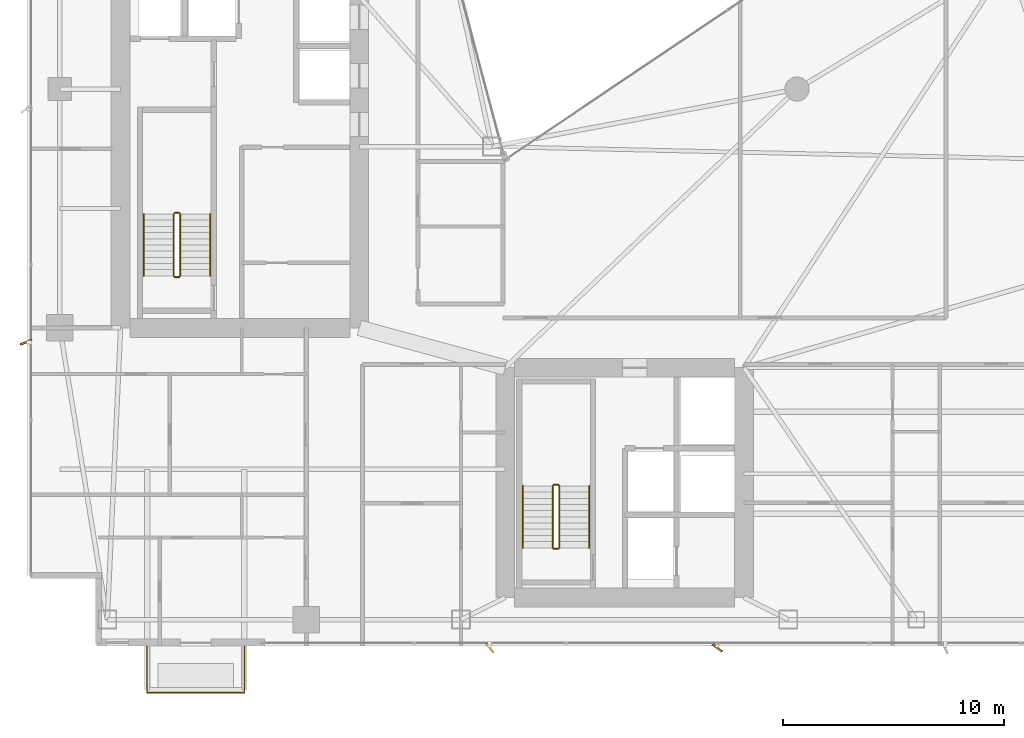
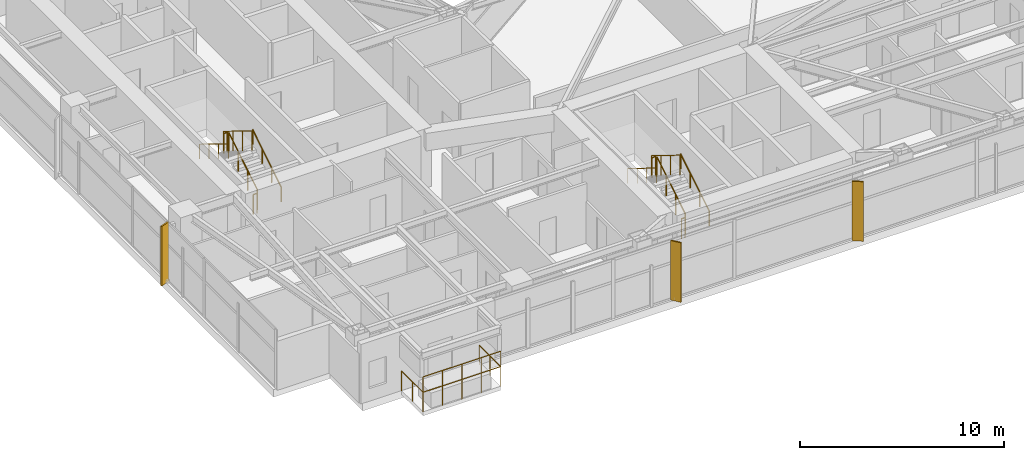
# One storey, part 29 of 30: 14 railings, 3 shading devices.
"""IFC4 building model written with IfcOpenShell, lengths in metres."""

from ifc_helpers import new_model, si_unit, direction, frame, origin, origin_2d, place, context, subcontext, project, spatial, rectangle, circle, extrude, material, type_object, element, save


model = new_model("IFC4")

# Units and contexts
model_context = context("Model", 3, precision=1e-05, world=origin(), true_north=direction((0.0, 1.0)))
body_context = subcontext(model_context, "Body", "Model", "MODEL_VIEW")
ifc_project = project(units=[si_unit("LENGTHUNIT", "METRE"), si_unit("AREAUNIT", "SQUARE_METRE"), si_unit("VOLUMEUNIT", "CUBIC_METRE"), si_unit("PLANEANGLEUNIT", "RADIAN"), si_unit("MASSUNIT", "GRAM", prefix="KILO")], contexts=[model_context])

# Site, building, storey
site_placement = place(None, origin())
site = spatial("IfcSite", under=ifc_project, at=site_placement, CompositionType="ELEMENT")
building_placement = place(site_placement, origin())
building = spatial("IfcBuilding", under=site, at=building_placement, Name="Calvorn Quay Hotel", CompositionType="ELEMENT")
storey_placement = place(building_placement, frame((0.0, 0.0, 191.300048828125)))
storey = spatial("IfcBuildingStorey", under=building, at=storey_placement, Name="L47", CompositionType="ELEMENT", Elevation=191.300048828125)

# Railings
ifc_material_1 = material(Name="Pale Anodised Aluminium and Laminated Glass", Category="aluminium")
railing_type_1 = type_object("IfcRailingType", Name="RLG-BALUSTRADE-1200", PredefinedType="BALUSTRADE", material=ifc_material_1)
railing_1_placement = place(storey_placement, frame((5.39990234375, 2.389892578125, 0.0)))
element("IfcRailing", 1, at=railing_1_placement, inside=storey, type_object=railing_type_1, Name="Tree Balcony Perimeter Balustrade L47-BALC-S", PredefinedType="BALUSTRADE", context=body_context, shape_type="SweptSolid", body=[
    extrude(circle(Radius=0.02392578125, at=origin_2d()), frame((0.0, 0.0, 1.17578125), z_axis=(0.0, -1.0, 0.0), x_axis=(1.0, 0.0, 0.0)), (0.0, 0.0, 1.0), 2.099853515625),
    extrude(circle(Radius=0.02392578125, at=origin_2d()), frame((0.0, -2.099853515625, 1.17578125), z_axis=(1.0, 0.0, 0.0), x_axis=(0.0, 1.0, 0.0)), (0.0, 0.0, 1.0), 4.400146484375),
    extrude(circle(Radius=0.02392578125, at=origin_2d()), frame((4.400146484375, -2.099853515625, 1.17578125), z_axis=(0.0, 1.0, 0.0), x_axis=(-1.0, 0.0, 0.0)), (0.0, 0.0, 1.0), 2.099853515625),
    extrude(circle(Radius=0.02099609375, at=origin_2d()), origin(), (0.0, 0.0, 1.0), 1.15185546875),
    extrude(circle(Radius=0.02099609375, at=origin_2d()), frame((0.0, -1.0498046875, 0.0)), (0.0, 0.0, 1.0), 1.15185546875),
    extrude(circle(Radius=0.02099609375, at=origin_2d()), frame((0.0, -2.099853515625, 0.0)), (0.0, 0.0, 1.0), 1.15185546875),
    extrude(circle(Radius=0.02099609375, at=origin_2d()), frame((1.10009765625, -2.099853515625, 0.0)), (0.0, 0.0, 1.0), 1.15185546875),
    extrude(circle(Radius=0.02099609375, at=origin_2d()), frame((2.2001953125, -2.099853515625, 0.0)), (0.0, 0.0, 1.0), 1.15185546875),
    extrude(circle(Radius=0.02099609375, at=origin_2d()), frame((3.300048828125, -2.099853515625, 0.0)), (0.0, 0.0, 1.0), 1.15185546875),
    extrude(circle(Radius=0.02099609375, at=origin_2d()), frame((4.400146484375, -2.099853515625, 0.0)), (0.0, 0.0, 1.0), 1.15185546875),
    extrude(circle(Radius=0.02099609375, at=origin_2d()), frame((4.400146484375, -1.0498046875, 0.0)), (0.0, 0.0, 1.0), 1.15185546875),
    extrude(circle(Radius=0.02099609375, at=origin_2d()), frame((4.400146484375, 0.0, 0.0)), (0.0, 0.0, 1.0), 1.15185546875),
])
railing_2_placement = place(storey_placement, frame((5.39990234375, 0.2900390625, 0.89990234375)))
element("IfcRailing", 2, at=railing_2_placement, inside=storey, type_object=railing_type_1, Name="Planter Kerb High Safety Screen L47-BALC-S", PredefinedType="BALUSTRADE", context=body_context, shape_type="SweptSolid", body=[
    extrude(circle(Radius=0.02392578125, at=origin_2d()), frame((0.0, 0.0, 1.19580078125), z_axis=(1.0, 0.0, 0.0), x_axis=(0.0, 1.0, 0.0)), (0.0, 0.0, 1.0), 4.400146484375),
    extrude(circle(Radius=0.02099609375, at=origin_2d()), origin(), (0.0, 0.0, 1.0), 1.171875),
    extrude(circle(Radius=0.02099609375, at=origin_2d()), frame((1.10009765625, 0.0, 0.0)), (0.0, 0.0, 1.0), 1.171875),
    extrude(circle(Radius=0.02099609375, at=origin_2d()), frame((2.2001953125, 0.0, 0.0)), (0.0, 0.0, 1.0), 1.171875),
    extrude(circle(Radius=0.02099609375, at=origin_2d()), frame((3.300048828125, 0.0, 0.0)), (0.0, 0.0, 1.0), 1.171875),
    extrude(circle(Radius=0.02099609375, at=origin_2d()), frame((4.400146484375, 0.0, 0.0)), (0.0, 0.0, 1.0), 1.171875),
])
ifc_material_2 = material(Name="Brushed Stainless Steel Handrail", Category="steel")
railing_type_2 = type_object("IfcRailingType", Name="RLG-HANDRAIL-900", PredefinedType="HANDRAIL", material=ifc_material_2)
railing_3_placement = place(storey_placement, frame((8.25, 19.14990234375, 0.172607421875)))
element("IfcRailing", 3, at=railing_3_placement, inside=storey, type_object=railing_type_2, Name="L47 ST-W stair handrail 1", PredefinedType="HANDRAIL", context=body_context, shape_type="SweptSolid", body=[
    extrude(circle(Radius=0.02392578125, at=origin_2d()), frame((0.0, 0.0, 0.8759765625), z_axis=(0.0, 0.851089632645, 0.525020415988), x_axis=(-1.0, 0.0, 0.0)), (0.0, 0.0, 1.0), 3.2900390625),
    extrude(circle(Radius=0.02099609375, at=origin_2d()), origin(), (0.0, 0.0, 1.0), 0.851806640625),
    extrude(circle(Radius=0.02099609375, at=origin_2d()), frame((0.0, 0.933349609375, 0.57568359375)), (0.0, 0.0, 1.0), 0.851806640625),
    extrude(circle(Radius=0.02099609375, at=origin_2d()), frame((0.0, 1.86669921875, 1.151611328125)), (0.0, 0.0, 1.0), 0.851806640625),
    extrude(circle(Radius=0.02099609375, at=origin_2d()), frame((0.0, 2.800048828125, 1.727294921875)), (0.0, 0.0, 1.0), 0.851806640625),
])
railing_4_placement = place(storey_placement, frame((5.25, 21.949951171875, 2.07275390625)))
element("IfcRailing", 4, at=railing_4_placement, inside=storey, type_object=railing_type_2, Name="L47 ST-W stair handrail 2", PredefinedType="HANDRAIL", context=body_context, shape_type="SweptSolid", body=[
    extrude(circle(Radius=0.02392578125, at=origin_2d()), frame((0.0, 0.0, 0.8759765625), z_axis=(0.0, -0.851089632645, 0.525020415988), x_axis=(1.0, 0.0, 0.0)), (0.0, 0.0, 1.0), 3.2900390625),
    extrude(circle(Radius=0.02099609375, at=origin_2d()), origin(), (0.0, 0.0, 1.0), 0.851806640625),
    extrude(circle(Radius=0.02099609375, at=origin_2d()), frame((0.0, -0.933349609375, 0.57568359375)), (0.0, 0.0, 1.0), 0.851806640625),
    extrude(circle(Radius=0.02099609375, at=origin_2d()), frame((0.0, -1.86669921875, 1.151611328125)), (0.0, 0.0, 1.0), 0.851806640625),
    extrude(circle(Radius=0.02099609375, at=origin_2d()), frame((0.0, -2.800048828125, 1.727294921875)), (0.0, 0.0, 1.0), 0.851806640625),
])
railing_5_placement = place(storey_placement, frame((25.39990234375, 6.85009765625, 0.172607421875)))
element("IfcRailing", 5, at=railing_5_placement, inside=storey, type_object=railing_type_2, Name="L47 ST-E stair handrail 1", PredefinedType="HANDRAIL", context=body_context, shape_type="SweptSolid", body=[
    extrude(circle(Radius=0.02392578125, at=origin_2d()), frame((0.0, 0.0, 0.8759765625), z_axis=(0.0, 0.851069175582, 0.525053576669), x_axis=(-1.0, 0.0, 0.0)), (0.0, 0.0, 1.0), 3.289794921875),
    extrude(circle(Radius=0.02099609375, at=origin_2d()), origin(), (0.0, 0.0, 1.0), 0.851806640625),
    extrude(circle(Radius=0.02099609375, at=origin_2d()), frame((0.0, 0.933349609375, 0.57568359375)), (0.0, 0.0, 1.0), 0.851806640625),
    extrude(circle(Radius=0.02099609375, at=origin_2d()), frame((0.0, 1.866455078125, 1.151611328125)), (0.0, 0.0, 1.0), 0.851806640625),
    extrude(circle(Radius=0.02099609375, at=origin_2d()), frame((0.0, 2.7998046875, 1.727294921875)), (0.0, 0.0, 1.0), 0.851806640625),
])
railing_6_placement = place(storey_placement, frame((22.39990234375, 9.64990234375, 2.07275390625)))
element("IfcRailing", 6, at=railing_6_placement, inside=storey, type_object=railing_type_2, Name="L47 ST-E stair handrail 2", PredefinedType="HANDRAIL", context=body_context, shape_type="SweptSolid", body=[
    extrude(circle(Radius=0.02392578125, at=origin_2d()), frame((0.0, 0.0, 0.8759765625), z_axis=(0.0, -0.851069175582, 0.525053576669), x_axis=(1.0, 0.0, 0.0)), (0.0, 0.0, 1.0), 3.289794921875),
    extrude(circle(Radius=0.02099609375, at=origin_2d()), origin(), (0.0, 0.0, 1.0), 0.851806640625),
    extrude(circle(Radius=0.02099609375, at=origin_2d()), frame((0.0, -0.933349609375, 0.57568359375)), (0.0, 0.0, 1.0), 0.851806640625),
    extrude(circle(Radius=0.02099609375, at=origin_2d()), frame((0.0, -1.866455078125, 1.151611328125)), (0.0, 0.0, 1.0), 0.851806640625),
    extrude(circle(Radius=0.02099609375, at=origin_2d()), frame((0.0, -2.7998046875, 1.727294921875)), (0.0, 0.0, 1.0), 0.851806640625),
])
ifc_material_3 = material(Name="Painted Galvanised Steel Balustrade", Category="steel")
railing_type_3 = type_object("IfcRailingType", Name="RLG-STAIR-GUARD-1120", PredefinedType="GUARDRAIL", material=ifc_material_3)
railing_7_placement = place(storey_placement, frame((6.89990234375, 19.14990234375, 0.172607421875)))
element("IfcRailing", 7, at=railing_7_placement, inside=storey, type_object=railing_type_3, Name="L47 ST-W stair guard 1", PredefinedType="GUARDRAIL", context=body_context, shape_type="SweptSolid", body=[
    extrude(circle(Radius=0.02392578125, at=origin_2d()), frame((0.0, 0.0, 1.17578125), z_axis=(0.0, 0.851089632645, 0.525020415988), x_axis=(-1.0, 0.0, 0.0)), (0.0, 0.0, 1.0), 3.2900390625),
    extrude(circle(Radius=0.02099609375, at=origin_2d()), origin(), (0.0, 0.0, 1.0), 1.15185546875),
    extrude(circle(Radius=0.02099609375, at=origin_2d()), frame((0.0, 0.933349609375, 0.57568359375)), (0.0, 0.0, 1.0), 1.15185546875),
    extrude(circle(Radius=0.02099609375, at=origin_2d()), frame((0.0, 1.86669921875, 1.151611328125)), (0.0, 0.0, 1.0), 1.15185546875),
    extrude(circle(Radius=0.02099609375, at=origin_2d()), frame((0.0, 2.800048828125, 1.727294921875)), (0.0, 0.0, 1.0), 1.15185546875),
])
railing_8_placement = place(storey_placement, frame((6.85009765625, 22.0, 1.89990234375)))
element("IfcRailing", 8, at=railing_8_placement, inside=storey, type_object=railing_type_3, Name="L47 ST-W stair guard 2", PredefinedType="GUARDRAIL", context=body_context, shape_type="SweptSolid", body=[
    extrude(circle(Radius=0.02392578125, at=origin_2d()), frame((0.0, 0.0, 1.17578125), z_axis=(-1.0, 0.0, 0.0), x_axis=(0.0, -1.0, 0.0)), (0.0, 0.0, 1.0), 0.2001953125),
    extrude(circle(Radius=0.02099609375, at=origin_2d()), origin(), (0.0, 0.0, 1.0), 1.15185546875),
    extrude(circle(Radius=0.02099609375, at=origin_2d()), frame((-0.2001953125, 0.0, 0.0)), (0.0, 0.0, 1.0), 1.15185546875),
])
railing_9_placement = place(storey_placement, frame((6.60009765625, 21.949951171875, 2.07275390625)))
element("IfcRailing", 9, at=railing_9_placement, inside=storey, type_object=railing_type_3, Name="L47 ST-W stair guard 3", PredefinedType="GUARDRAIL", context=body_context, shape_type="SweptSolid", body=[
    extrude(circle(Radius=0.02392578125, at=origin_2d()), frame((0.0, 0.0, 1.17578125), z_axis=(0.0, -0.851089632645, 0.525020415988), x_axis=(1.0, 0.0, 0.0)), (0.0, 0.0, 1.0), 3.2900390625),
    extrude(circle(Radius=0.02099609375, at=origin_2d()), origin(), (0.0, 0.0, 1.0), 1.15185546875),
    extrude(circle(Radius=0.02099609375, at=origin_2d()), frame((0.0, -0.933349609375, 0.57568359375)), (0.0, 0.0, 1.0), 1.15185546875),
    extrude(circle(Radius=0.02099609375, at=origin_2d()), frame((0.0, -1.86669921875, 1.151611328125)), (0.0, 0.0, 1.0), 1.15185546875),
    extrude(circle(Radius=0.02099609375, at=origin_2d()), frame((0.0, -2.800048828125, 1.727294921875)), (0.0, 0.0, 1.0), 1.15185546875),
])
railing_10_placement = place(storey_placement, frame((6.85009765625, 19.10009765625, 0.0)))
element("IfcRailing", 10, at=railing_10_placement, inside=storey, type_object=railing_type_3, Name="L47 ST-W stair guard 4", PredefinedType="GUARDRAIL", context=body_context, shape_type="SweptSolid", body=[
    extrude(circle(Radius=0.02392578125, at=origin_2d()), frame((0.0, 0.0, 1.17578125), z_axis=(-1.0, 0.0, 0.0), x_axis=(0.0, -1.0, 0.0)), (0.0, 0.0, 1.0), 0.2001953125),
    extrude(circle(Radius=0.02099609375, at=origin_2d()), origin(), (0.0, 0.0, 1.0), 1.15185546875),
    extrude(circle(Radius=0.02099609375, at=origin_2d()), frame((-0.2001953125, 0.0, 0.0)), (0.0, 0.0, 1.0), 1.15185546875),
])
railing_11_placement = place(storey_placement, frame((24.050048828125, 6.85009765625, 0.172607421875)))
element("IfcRailing", 11, at=railing_11_placement, inside=storey, type_object=railing_type_3, Name="L47 ST-E stair guard 1", PredefinedType="GUARDRAIL", context=body_context, shape_type="SweptSolid", body=[
    extrude(circle(Radius=0.02392578125, at=origin_2d()), frame((0.0, 0.0, 1.17578125), z_axis=(0.0, 0.851069175582, 0.525053576669), x_axis=(-1.0, 0.0, 0.0)), (0.0, 0.0, 1.0), 3.289794921875),
    extrude(circle(Radius=0.02099609375, at=origin_2d()), origin(), (0.0, 0.0, 1.0), 1.15185546875),
    extrude(circle(Radius=0.02099609375, at=origin_2d()), frame((0.0, 0.933349609375, 0.57568359375)), (0.0, 0.0, 1.0), 1.15185546875),
    extrude(circle(Radius=0.02099609375, at=origin_2d()), frame((0.0, 1.866455078125, 1.151611328125)), (0.0, 0.0, 1.0), 1.15185546875),
    extrude(circle(Radius=0.02099609375, at=origin_2d()), frame((0.0, 2.7998046875, 1.727294921875)), (0.0, 0.0, 1.0), 1.15185546875),
])
railing_12_placement = place(storey_placement, frame((24.0, 9.699951171875, 1.89990234375)))
element("IfcRailing", 12, at=railing_12_placement, inside=storey, type_object=railing_type_3, Name="L47 ST-E stair guard 2", PredefinedType="GUARDRAIL", context=body_context, shape_type="SweptSolid", body=[
    extrude(circle(Radius=0.02392578125, at=origin_2d()), frame((0.0, 0.0, 1.17578125), z_axis=(-1.0, 0.0, 0.0), x_axis=(0.0, -1.0, 0.0)), (0.0, 0.0, 1.0), 0.199951171875),
    extrude(circle(Radius=0.02099609375, at=origin_2d()), origin(), (0.0, 0.0, 1.0), 1.15185546875),
    extrude(circle(Radius=0.02099609375, at=origin_2d()), frame((-0.199951171875, 0.0, 0.0)), (0.0, 0.0, 1.0), 1.15185546875),
])
railing_13_placement = place(storey_placement, frame((23.75, 9.64990234375, 2.07275390625)))
element("IfcRailing", 13, at=railing_13_placement, inside=storey, type_object=railing_type_3, Name="L47 ST-E stair guard 3", PredefinedType="GUARDRAIL", context=body_context, shape_type="SweptSolid", body=[
    extrude(circle(Radius=0.02392578125, at=origin_2d()), frame((0.0, 0.0, 1.17578125), z_axis=(0.0, -0.851069175582, 0.525053576669), x_axis=(1.0, 0.0, 0.0)), (0.0, 0.0, 1.0), 3.289794921875),
    extrude(circle(Radius=0.02099609375, at=origin_2d()), origin(), (0.0, 0.0, 1.0), 1.15185546875),
    extrude(circle(Radius=0.02099609375, at=origin_2d()), frame((0.0, -0.933349609375, 0.57568359375)), (0.0, 0.0, 1.0), 1.15185546875),
    extrude(circle(Radius=0.02099609375, at=origin_2d()), frame((0.0, -1.866455078125, 1.151611328125)), (0.0, 0.0, 1.0), 1.15185546875),
    extrude(circle(Radius=0.02099609375, at=origin_2d()), frame((0.0, -2.7998046875, 1.727294921875)), (0.0, 0.0, 1.0), 1.15185546875),
])
railing_14_placement = place(storey_placement, frame((24.0, 6.800048828125, 0.0)))
element("IfcRailing", 14, at=railing_14_placement, inside=storey, type_object=railing_type_3, Name="L47 ST-E stair guard 4", PredefinedType="GUARDRAIL", context=body_context, shape_type="SweptSolid", body=[
    extrude(circle(Radius=0.02392578125, at=origin_2d()), frame((0.0, 0.0, 1.17578125), z_axis=(-1.0, 0.0, 0.0), x_axis=(0.0, -1.0, 0.0)), (0.0, 0.0, 1.0), 0.199951171875),
    extrude(circle(Radius=0.02099609375, at=origin_2d()), origin(), (0.0, 0.0, 1.0), 1.15185546875),
    extrude(circle(Radius=0.02099609375, at=origin_2d()), frame((-0.199951171875, 0.0, 0.0)), (0.0, 0.0, 1.0), 1.15185546875),
])

# Shading devices
ifc_material_4 = material(Name="Champagne Bronze Anodised Aluminium 6063-T6", Category="aluminium")
shading_device_type_1 = type_object("IfcShadingDeviceType", Name="SHD-FIN-A1", PredefinedType="USERDEFINED", material=ifc_material_4)
shading_device_1_placement = place(storey_placement, frame((-0.080078125, 16.14990234375, 0.0), z_axis=(0.0, 0.0, 1.0), x_axis=(0.927183854567, 0.374606593416, 0.0)))
element("IfcShadingDevice", 15, at=shading_device_1_placement, inside=storey, type_object=shading_device_type_1, Name="Diagonal Sun-Shading Fin L47-W01", ObjectType="FIN", PredefinedType="USERDEFINED", context=body_context, shape_type="SweptSolid", body=[
    extrude(rectangle(XDim=0.550048828125, YDim=0.080078125, at=origin_2d()), origin(), (0.0, 0.0, 1.0), 3.56005859375),
])
ifc_material_5 = material(Name="Champagne Bronze Anodised Aluminium 6063-T6", Category="aluminium")
shading_device_type_2 = type_object("IfcShadingDeviceType", Name="SHD-FIN-A2", PredefinedType="USERDEFINED", material=ifc_material_5)
shading_device_2_placement = place(storey_placement, frame((20.89990234375, 2.320068359375, 0.0), z_axis=(0.0, 0.0, 1.0), x_axis=(-0.615661475326, 0.788010753607, 0.0)))
element("IfcShadingDevice", 16, at=shading_device_2_placement, inside=storey, type_object=shading_device_type_2, Name="Diagonal Sun-Shading Fin L47-S01", ObjectType="FIN", PredefinedType="USERDEFINED", context=body_context, shape_type="SweptSolid", body=[
    extrude(rectangle(XDim=0.550048828125, YDim=0.080078125, at=origin_2d()), origin(), (0.0, 0.0, 1.0), 3.56005859375),
])
ifc_material_6 = material(Name="Champagne Bronze Anodised Aluminium 6063-T6", Category="aluminium")
shading_device_type_3 = type_object("IfcShadingDeviceType", Name="SHD-FIN-A3", PredefinedType="USERDEFINED", material=ifc_material_6)
shading_device_3_placement = place(storey_placement, frame((31.199951171875, 2.320068359375, 0.0), z_axis=(0.0, 0.0, 1.0), x_axis=(-0.809016994375, 0.587785252292, 0.0)))
element("IfcShadingDevice", 17, at=shading_device_3_placement, inside=storey, type_object=shading_device_type_3, Name="Diagonal Sun-Shading Fin L47-S02", ObjectType="FIN", PredefinedType="USERDEFINED", context=body_context, shape_type="SweptSolid", body=[
    extrude(rectangle(XDim=0.550048828125, YDim=0.080078125, at=origin_2d()), origin(), (0.0, 0.0, 1.0), 3.56005859375),
])

save(model, "model.ifc")
